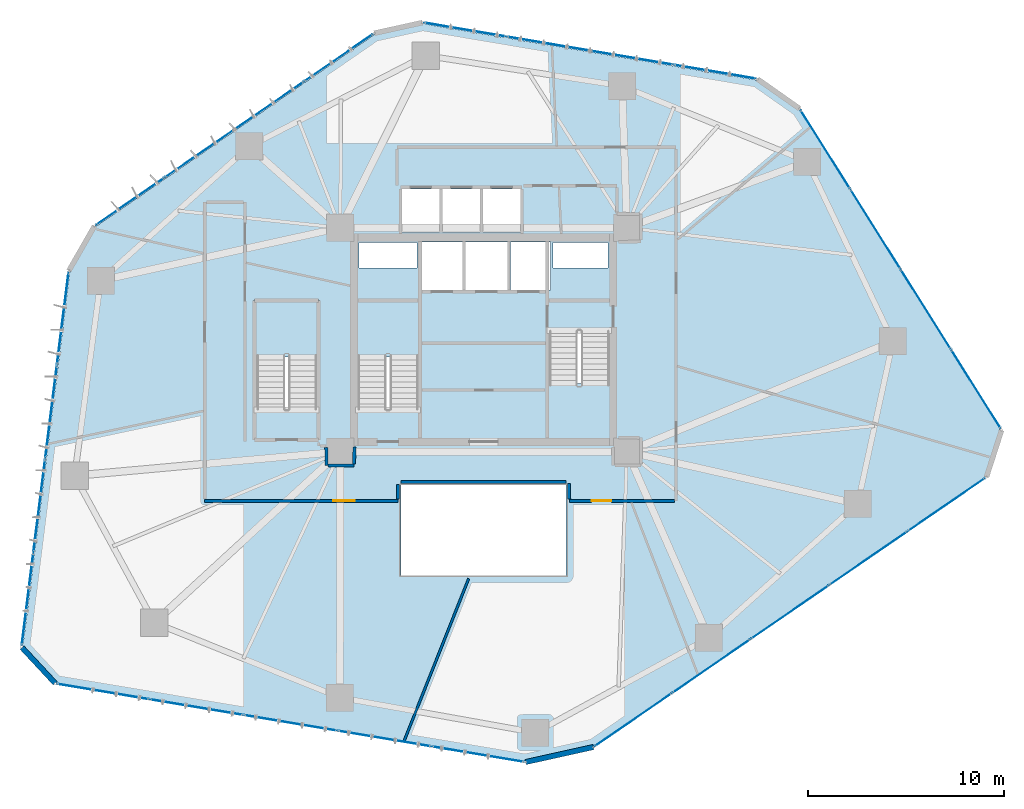
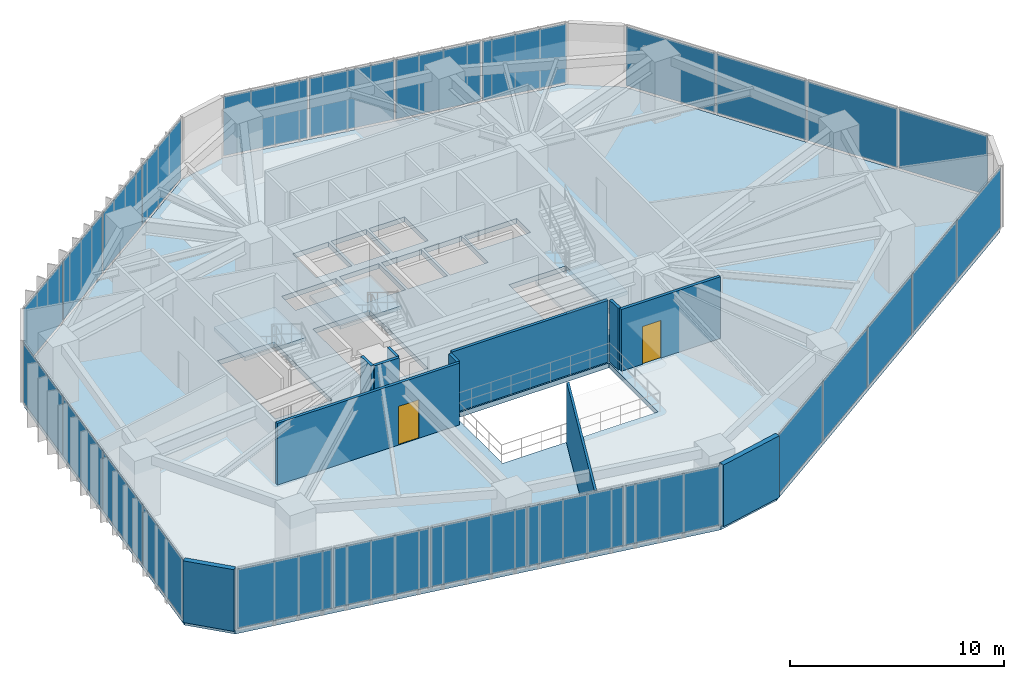
# One storey, part 16 of 21: 26 plates, 11 walls, 4 slabs, 2 doors, 2 openings, 9 elements without a shape of their own.
"""IFC4 building model written with IfcOpenShell, lengths in metres."""

from ifc_helpers import new_model, si_unit, direction, frame, frame_2d, origin, origin_2d, place, context, subcontext, project, spatial, polyline, rectangle, outline, extrude, source, transform, mapped, material, layer, layer_set, type_object, type_shapes, element, fill, aggregate, save


model = new_model("IFC4")

# Units and contexts
model_context = context("Model", 3, precision=1e-05, world=origin(), true_north=direction((0.0, 1.0)))
body_context = subcontext(model_context, "Body", "Model", "MODEL_VIEW")
ifc_project = project(units=[si_unit("LENGTHUNIT", "METRE"), si_unit("AREAUNIT", "SQUARE_METRE"), si_unit("VOLUMEUNIT", "CUBIC_METRE"), si_unit("PLANEANGLEUNIT", "RADIAN"), si_unit("MASSUNIT", "GRAM", prefix="KILO")], contexts=[model_context])

# Site, building, storey
site_placement = place(None, origin())
site = spatial("IfcSite", under=ifc_project, at=site_placement, CompositionType="ELEMENT")
building_placement = place(site_placement, origin())
building = spatial("IfcBuilding", under=site, at=building_placement, Name="Talar Marvaseh", CompositionType="ELEMENT")
storey_placement = place(building_placement, frame((0.0, 0.0, 62.0)))
storey = spatial("IfcBuildingStorey", under=building, at=storey_placement, Name="L15", CompositionType="ELEMENT", Elevation=62.0)

# Stair, slab
ifc_material_1 = material(Name="Concrete C40/50", Category="concrete")
stair_type = type_object("IfcStairType", Name="Reinforced Concrete Half-Turn Exit Stair Type B", PredefinedType="HALF_TURN_STAIR", material=ifc_material_1)
stair_1_placement = place(storey_placement, origin())
stair_1 = element("IfcStair", 1, at=stair_1_placement, inside=storey, type_object=stair_type, Name="L15 Tower West Core Exit Stair", PredefinedType="HALF_TURN_STAIR")
ifc_layer_1 = layer(ifc_material_1, 0.199951171875)
ifc_layer_set_1 = layer_set([ifc_layer_1], Name="Concrete C40/50")
slab_type_1 = type_object("IfcSlabType", Name="Reinforced Concrete Stair Half-Landing Slab 200", PredefinedType="LANDING", material=ifc_layer_set_1)
slab_1_placement = place(storey_placement, frame((0.0, 0.0, 1.699951171875)))
slab_1 = element("IfcSlab", 2, at=slab_1_placement, type_object=slab_type_1, Name="ST-1 landing 1", PredefinedType="LANDING", context=body_context, shape_type="SweptSolid", body=[
    extrude(outline(polyline([(22.780029296875, 30.330078125), (22.780029296875, 33.219970703125), (19.47998046875, 33.219970703125), (19.47998046875, 30.330078125), (22.780029296875, 30.330078125)])), origin(), (0.0, 0.0, 1.0), 0.199951171875),
])
aggregate(stair_1, [slab_1])

stair_2_placement = place(storey_placement, origin())
stair_2 = element("IfcStair", 3, at=stair_2_placement, inside=storey, type_object=stair_type, Name="L15 Tower East Core Exit Stair", PredefinedType="HALF_TURN_STAIR")
slab_2_placement = place(storey_placement, frame((0.0, 0.0, 1.699951171875)))
slab_2 = element("IfcSlab", 4, at=slab_2_placement, type_object=slab_type_1, Name="ST-2 landing 1", PredefinedType="LANDING", context=body_context, shape_type="SweptSolid", body=[
    extrude(outline(polyline([(29.219970703125, 28.969970703125), (29.219970703125, 26.080078125), (32.52001953125, 26.080078125), (32.52001953125, 28.969970703125), (29.219970703125, 28.969970703125)])), origin(), (0.0, 0.0, 1.0), 0.199951171875),
])
aggregate(stair_2, [slab_2])

stair_3_placement = place(storey_placement, origin())
stair_3 = element("IfcStair", 5, at=stair_3_placement, inside=storey, type_object=stair_type, Name="L15 Museum & Podium Auxiliary Exit Stair", PredefinedType="HALF_TURN_STAIR")
slab_3_placement = place(storey_placement, frame((0.0, 0.0, 1.699951171875)))
slab_3 = element("IfcSlab", 6, at=slab_3_placement, type_object=slab_type_1, Name="ST-3 landing 1", PredefinedType="LANDING", context=body_context, shape_type="SweptSolid", body=[
    extrude(outline(polyline([(17.6201171875, 30.330078125), (17.6201171875, 33.219970703125), (14.320068359375, 33.219970703125), (14.320068359375, 30.330078125), (17.6201171875, 30.330078125)])), origin(), (0.0, 0.0, 1.0), 0.199951171875),
])
aggregate(stair_3, [slab_3])

# Slab
ifc_layer_2 = layer(ifc_material_1, 0.280029296875)
ifc_layer_set_2 = layer_set([ifc_layer_2], Name="Concrete C40/50")
slab_type_2 = type_object("IfcSlabType", Name="Structural Suspended Floor Slab 280", PredefinedType="FLOOR", material=ifc_layer_set_2)
slab_4_placement = place(storey_placement, frame((0.0, 0.0, -0.280029296875)))
element("IfcSlab", 7, at=slab_4_placement, inside=storey, type_object=slab_type_2, Name="L15 Tower Floor Slab", PredefinedType="FLOOR", context=body_context, shape_type="SweptSolid", body=[
    extrude(outline(polyline([(4.228515625, 13.747802734375), (2.53662109375, 15.566650390625), (4.93603515625, 34.68310546875), (6.24267578125, 36.9580078125), (20.4453125, 46.743896484375), (22.901611328125, 47.288330078125), (39.9091796875, 44.421630859375), (42.0546875, 42.912109375), (52.30810546875, 26.600830078125), (51.543701171875, 24.2373046875), (31.57568359375, 10.518310546875), (28.12353515625, 9.7529296875), (4.228515625, 13.747802734375)]), holes=[polyline([(22.659912109375, 27.64990234375), (22.659912109375, 33.10009765625), (19.60009765625, 33.10009765625), (19.60009765625, 27.64990234375), (22.659912109375, 27.64990234375)]), polyline([(29.340087890625, 31.64990234375), (29.340087890625, 26.199951171875), (32.39990234375, 26.199951171875), (32.39990234375, 31.64990234375), (29.340087890625, 31.64990234375)]), polyline([(17.5, 27.64990234375), (17.5, 33.10009765625), (14.43994140625, 33.10009765625), (14.43994140625, 27.64990234375), (17.5, 27.64990234375)]), polyline([(22.800048828125, 33.719970703125), (24.93994140625, 33.719970703125), (24.93994140625, 36.179931640625), (22.800048828125, 36.179931640625), (22.800048828125, 33.719970703125)]), polyline([(25.080078125, 33.719970703125), (27.219970703125, 33.719970703125), (27.219970703125, 36.179931640625), (25.080078125, 36.179931640625), (25.080078125, 33.719970703125)]), polyline([(27.360107421875, 33.719970703125), (29.39990234375, 33.719970703125), (29.39990234375, 36.179931640625), (27.360107421875, 36.179931640625), (27.360107421875, 33.719970703125)]), polyline([(21.840087890625, 36.659912109375), (23.760009765625, 36.659912109375), (23.760009765625, 38.8798828125), (21.840087890625, 38.8798828125), (21.840087890625, 36.659912109375)]), polyline([(23.89990234375, 36.659912109375), (25.820068359375, 36.659912109375), (25.820068359375, 38.8798828125), (23.89990234375, 38.8798828125), (23.89990234375, 36.659912109375)]), polyline([(25.9599609375, 36.659912109375), (27.8798828125, 36.659912109375), (27.8798828125, 38.8798828125), (25.9599609375, 38.8798828125), (25.9599609375, 36.659912109375)]), polyline([(19.659912109375, 34.840087890625), (22.60009765625, 34.840087890625), (22.60009765625, 36.139892578125), (19.659912109375, 36.139892578125), (19.659912109375, 34.840087890625)]), polyline([(29.52001953125, 34.840087890625), (32.340087890625, 34.840087890625), (32.340087890625, 36.139892578125), (29.52001953125, 36.139892578125), (29.52001953125, 34.840087890625)]), polyline([(21.800048828125, 19.199951171875), (30.199951171875, 19.199951171875), (30.199951171875, 23.800048828125), (21.800048828125, 23.800048828125), (21.800048828125, 19.199951171875)])]), origin(), (0.0, 0.0, 1.0), 0.280029296875),
])

# Curtain wall, plates
ifc_material_2 = material(Name="Architectural Aluminium", Category="aluminium")
ifc_layer_3 = layer(ifc_material_2, 0.219970703125)
ifc_layer_set_3 = layer_set([ifc_layer_3], Name="Architectural Aluminium")
curtain_wall_type = type_object("IfcCurtainWallType", Name="Unitised Low-E Museum Curtain Wall Z1", PredefinedType="NOTDEFINED", material=ifc_layer_set_3)
curtain_wall_1_placement = place(storey_placement, origin())
curtain_wall_1 = element("IfcCurtainWall", 8, at=curtain_wall_1_placement, inside=storey, type_object=curtain_wall_type, Name="L15 Unitised Low-E Museum Curtain Wall Z1", PredefinedType="NOTDEFINED")
ifc_material_3 = material(Name="Laminated Low-E Solar Glass", Category="glass")
ifc_layer_4 = layer(ifc_material_3, 0.028076171875)
ifc_layer_set_4 = layer_set([ifc_layer_4], Name="Laminated Low-E Solar Glass")
plate_type = type_object("IfcPlateType", Name="Double-Glazed Low-E Vision Curtain Panel 28", PredefinedType="CURTAIN_PANEL", material=ifc_layer_set_4)
shared_shape_1 = source(origin(), body_context, "Body", "SweptSolid", [
    extrude(rectangle(XDim=4.696533203125, YDim=0.028076171875, at=origin_2d()), origin(), (0.0, 0.0, 1.0), 3.3701171875),
])
plate_1_placement = place(storey_placement, frame((2.779541015625, 17.983642578125, 0.074951171875), z_axis=(0.0, 0.0, 1.0), x_axis=(0.124532354927, 0.992215547437, 0.0)))
plate_1 = element("IfcPlate", 9, at=plate_1_placement, type_object=plate_type, Name="CW-Z1 panel 1.1", PredefinedType="CURTAIN_PANEL", context=body_context, shape_type="MappedRepresentation", body=[
    mapped(shared_shape_1, transform((0.0, 0.0, 0.0), x_axis=(1.0, 0.0, 0.0), y_axis=(0.0, 1.0, 0.0), z_axis=(0.0, 0.0, 1.0), scale=1.0)),
])
plate_2_placement = place(storey_placement, frame((4.57421875, 32.28125, 0.074951171875), z_axis=(0.0, 0.0, 1.0), x_axis=(0.124532354927, 0.992215547437, 0.0)))
plate_2 = element("IfcPlate", 10, at=plate_2_placement, type_object=plate_type, Name="CW-Z1 panel 4.1", PredefinedType="CURTAIN_PANEL", context=body_context, shape_type="MappedRepresentation", body=[
    mapped(shared_shape_1, transform((0.0, 0.0, 0.0), x_axis=(1.0, 0.0, 0.0), y_axis=(0.0, 1.0, 0.0), z_axis=(0.0, 0.0, 1.0), scale=1.0)),
])

curtain_wall_2_placement = place(storey_placement, origin())
curtain_wall_2 = element("IfcCurtainWall", 11, at=curtain_wall_2_placement, inside=storey, type_object=curtain_wall_type, Name="L15 Unitised Low-E Museum Curtain Wall Z1", PredefinedType="NOTDEFINED")
plate_3_placement = place(storey_placement, frame((43.39794921875, 40.88818359375, 0.074951171875), z_axis=(0.0, 0.0, 1.0), x_axis=(0.532194611651, -0.846622049872, 0.0)))
plate_3 = element("IfcPlate", 12, at=plate_3_placement, type_object=plate_type, Name="CW-Z1 panel 1.1", PredefinedType="CURTAIN_PANEL", context=body_context, shape_type="MappedRepresentation", body=[
    mapped(shared_shape_1, transform((0.0, 0.0, 0.0), x_axis=(1.0, 0.0, 0.0), y_axis=(0.0, 1.0, 0.0), z_axis=(0.0, 0.0, 1.0), scale=1.0)),
])
plate_4_placement = place(storey_placement, frame((51.066650390625, 28.6884765625, 0.074951171875), z_axis=(0.0, 0.0, 1.0), x_axis=(0.532194611651, -0.846622049872, 0.0)))
plate_4 = element("IfcPlate", 13, at=plate_4_placement, type_object=plate_type, Name="CW-Z1 panel 4.1", PredefinedType="CURTAIN_PANEL", context=body_context, shape_type="MappedRepresentation", body=[
    mapped(shared_shape_1, transform((0.0, 0.0, 0.0), x_axis=(1.0, 0.0, 0.0), y_axis=(0.0, 1.0, 0.0), z_axis=(0.0, 0.0, 1.0), scale=1.0)),
])

# Plate
shared_shape_2 = source(origin(), body_context, "Body", "SweptSolid", [
    extrude(rectangle(XDim=4.736572265625, YDim=0.028076171875, at=origin_2d()), origin(), (0.0, 0.0, 1.0), 3.3701171875),
])
plate_5_placement = place(storey_placement, frame((3.376953125, 22.742919921875, 0.074951171875), z_axis=(0.0, 0.0, 1.0), x_axis=(0.124532354927, 0.992215547437, 0.0)))
plate_5 = element("IfcPlate", 14, at=plate_5_placement, type_object=plate_type, Name="CW-Z1 panel 2.1", PredefinedType="CURTAIN_PANEL", context=body_context, shape_type="MappedRepresentation", body=[
    mapped(shared_shape_2, transform((0.0, 0.0, 0.0), x_axis=(1.0, 0.0, 0.0), y_axis=(0.0, 1.0, 0.0), z_axis=(0.0, 0.0, 1.0), scale=1.0)),
])

plate_6_placement = place(storey_placement, frame((3.976806640625, 27.52197265625, 0.074951171875), z_axis=(0.0, 0.0, 1.0), x_axis=(0.124532354927, 0.992215547437, 0.0)))
plate_6 = element("IfcPlate", 15, at=plate_6_placement, type_object=plate_type, Name="CW-Z1 panel 3.1", PredefinedType="CURTAIN_PANEL", context=body_context, shape_type="MappedRepresentation", body=[
    mapped(shared_shape_2, transform((0.0, 0.0, 0.0), x_axis=(1.0, 0.0, 0.0), y_axis=(0.0, 1.0, 0.0), z_axis=(0.0, 0.0, 1.0), scale=1.0)),
])

aggregate(curtain_wall_1, [plate_1, plate_5, plate_6, plate_2])

plate_7_placement = place(storey_placement, frame((45.95068359375, 36.827392578125, 0.074951171875), z_axis=(0.0, 0.0, 1.0), x_axis=(0.532194611651, -0.846622049872, 0.0)))
plate_7 = element("IfcPlate", 16, at=plate_7_placement, type_object=plate_type, Name="CW-Z1 panel 2.1", PredefinedType="CURTAIN_PANEL", context=body_context, shape_type="MappedRepresentation", body=[
    mapped(shared_shape_2, transform((0.0, 0.0, 0.0), x_axis=(1.0, 0.0, 0.0), y_axis=(0.0, 1.0, 0.0), z_axis=(0.0, 0.0, 1.0), scale=1.0)),
])

plate_8_placement = place(storey_placement, frame((48.513916015625, 32.74951171875, 0.074951171875), z_axis=(0.0, 0.0, 1.0), x_axis=(0.532194611651, -0.846622049872, 0.0)))
plate_8 = element("IfcPlate", 17, at=plate_8_placement, type_object=plate_type, Name="CW-Z1 panel 3.1", PredefinedType="CURTAIN_PANEL", context=body_context, shape_type="MappedRepresentation", body=[
    mapped(shared_shape_2, transform((0.0, 0.0, 0.0), x_axis=(1.0, 0.0, 0.0), y_axis=(0.0, 1.0, 0.0), z_axis=(0.0, 0.0, 1.0), scale=1.0)),
])

aggregate(curtain_wall_2, [plate_3, plate_7, plate_8, plate_4])

# Curtain wall, plates
curtain_wall_3_placement = place(storey_placement, origin())
curtain_wall_3 = element("IfcCurtainWall", 18, at=curtain_wall_3_placement, inside=storey, type_object=curtain_wall_type, Name="L15 Unitised Low-E Museum Curtain Wall Z1", PredefinedType="NOTDEFINED")
shared_shape_3 = source(origin(), body_context, "Body", "SweptSolid", [
    extrude(rectangle(XDim=4.19189453125, YDim=0.028076171875, at=origin_2d()), origin(), (0.0, 0.0, 1.0), 3.3701171875),
])
plate_9_placement = place(storey_placement, frame((8.00048828125, 38.241943359375, 0.074951171875), z_axis=(0.0, 0.0, 1.0), x_axis=(0.823453785102, 0.567383348188, 0.0)))
plate_9 = element("IfcPlate", 19, at=plate_9_placement, type_object=plate_type, Name="CW-Z1 panel 1.1", PredefinedType="CURTAIN_PANEL", context=body_context, shape_type="MappedRepresentation", body=[
    mapped(shared_shape_3, transform((0.0, 0.0, 0.0), x_axis=(1.0, 0.0, 0.0), y_axis=(0.0, 1.0, 0.0), z_axis=(0.0, 0.0, 1.0), scale=1.0)),
])
plate_10_placement = place(storey_placement, frame((18.619384765625, 45.55859375, 0.074951171875), z_axis=(0.0, 0.0, 1.0), x_axis=(0.823453785102, 0.567383348188, 0.0)))
plate_10 = element("IfcPlate", 20, at=plate_10_placement, type_object=plate_type, Name="CW-Z1 panel 4.1", PredefinedType="CURTAIN_PANEL", context=body_context, shape_type="MappedRepresentation", body=[
    mapped(shared_shape_3, transform((0.0, 0.0, 0.0), x_axis=(1.0, 0.0, 0.0), y_axis=(0.0, 1.0, 0.0), z_axis=(0.0, 0.0, 1.0), scale=1.0)),
])

curtain_wall_4_placement = place(storey_placement, origin())
curtain_wall_4 = element("IfcCurtainWall", 21, at=curtain_wall_4_placement, inside=storey, type_object=curtain_wall_type, Name="L15 Unitised Low-E Museum Curtain Wall Z1", PredefinedType="NOTDEFINED")
plate_11_placement = place(storey_placement, frame((25.057373046875, 46.98583984375, 0.074951171875), z_axis=(0.0, 0.0, 1.0), x_axis=(0.98608950508, -0.166215185742, 0.0)))
plate_11 = element("IfcPlate", 22, at=plate_11_placement, type_object=plate_type, Name="CW-Z1 panel 1.1", PredefinedType="CURTAIN_PANEL", context=body_context, shape_type="MappedRepresentation", body=[
    mapped(shared_shape_3, transform((0.0, 0.0, 0.0), x_axis=(1.0, 0.0, 0.0), y_axis=(0.0, 1.0, 0.0), z_axis=(0.0, 0.0, 1.0), scale=1.0)),
])
plate_12_placement = place(storey_placement, frame((37.7734375, 44.842529296875, 0.074951171875), z_axis=(0.0, 0.0, 1.0), x_axis=(0.98608950508, -0.166215185742, 0.0)))
plate_12 = element("IfcPlate", 23, at=plate_12_placement, type_object=plate_type, Name="CW-Z1 panel 4.1", PredefinedType="CURTAIN_PANEL", context=body_context, shape_type="MappedRepresentation", body=[
    mapped(shared_shape_3, transform((0.0, 0.0, 0.0), x_axis=(1.0, 0.0, 0.0), y_axis=(0.0, 1.0, 0.0), z_axis=(0.0, 0.0, 1.0), scale=1.0)),
])

# Plate
shared_shape_4 = source(origin(), body_context, "Body", "SweptSolid", [
    extrude(rectangle(XDim=4.23193359375, YDim=0.028076171875, at=origin_2d()), origin(), (0.0, 0.0, 1.0), 3.3701171875),
])
plate_13_placement = place(storey_placement, frame((11.53466796875, 40.677001953125, 0.074951171875), z_axis=(0.0, 0.0, 1.0), x_axis=(0.823453785102, 0.567383348188, 0.0)))
plate_13 = element("IfcPlate", 24, at=plate_13_placement, type_object=plate_type, Name="CW-Z1 panel 2.1", PredefinedType="CURTAIN_PANEL", context=body_context, shape_type="MappedRepresentation", body=[
    mapped(shared_shape_4, transform((0.0, 0.0, 0.0), x_axis=(1.0, 0.0, 0.0), y_axis=(0.0, 1.0, 0.0), z_axis=(0.0, 0.0, 1.0), scale=1.0)),
])

plate_14_placement = place(storey_placement, frame((15.085205078125, 43.12353515625, 0.074951171875), z_axis=(0.0, 0.0, 1.0), x_axis=(0.823453785102, 0.567383348188, 0.0)))
plate_14 = element("IfcPlate", 25, at=plate_14_placement, type_object=plate_type, Name="CW-Z1 panel 3.1", PredefinedType="CURTAIN_PANEL", context=body_context, shape_type="MappedRepresentation", body=[
    mapped(shared_shape_4, transform((0.0, 0.0, 0.0), x_axis=(1.0, 0.0, 0.0), y_axis=(0.0, 1.0, 0.0), z_axis=(0.0, 0.0, 1.0), scale=1.0)),
])

aggregate(curtain_wall_3, [plate_9, plate_13, plate_14, plate_10])

plate_15_placement = place(storey_placement, frame((29.28955078125, 46.2724609375, 0.074951171875), z_axis=(0.0, 0.0, 1.0), x_axis=(0.98608950508, -0.166215185742, 0.0)))
plate_15 = element("IfcPlate", 26, at=plate_15_placement, type_object=plate_type, Name="CW-Z1 panel 2.1", PredefinedType="CURTAIN_PANEL", context=body_context, shape_type="MappedRepresentation", body=[
    mapped(shared_shape_4, transform((0.0, 0.0, 0.0), x_axis=(1.0, 0.0, 0.0), y_axis=(0.0, 1.0, 0.0), z_axis=(0.0, 0.0, 1.0), scale=1.0)),
])

plate_16_placement = place(storey_placement, frame((33.541259765625, 45.555908203125, 0.074951171875), z_axis=(0.0, 0.0, 1.0), x_axis=(0.98608950508, -0.166215185742, 0.0)))
plate_16 = element("IfcPlate", 27, at=plate_16_placement, type_object=plate_type, Name="CW-Z1 panel 3.1", PredefinedType="CURTAIN_PANEL", context=body_context, shape_type="MappedRepresentation", body=[
    mapped(shared_shape_4, transform((0.0, 0.0, 0.0), x_axis=(1.0, 0.0, 0.0), y_axis=(0.0, 1.0, 0.0), z_axis=(0.0, 0.0, 1.0), scale=1.0)),
])

aggregate(curtain_wall_4, [plate_11, plate_15, plate_16, plate_12])

# Curtain wall, plates
curtain_wall_5_placement = place(storey_placement, origin())
curtain_wall_5 = element("IfcCurtainWall", 28, at=curtain_wall_5_placement, inside=storey, type_object=curtain_wall_type, Name="L15 Unitised Low-E Museum Curtain Wall Z1", PredefinedType="NOTDEFINED")
shared_shape_5 = source(origin(), body_context, "Body", "SweptSolid", [
    extrude(rectangle(XDim=4.725341796875, YDim=0.028076171875, at=origin_2d()), origin(), (0.0, 0.0, 1.0), 3.3701171875),
])
plate_17_placement = place(storey_placement, frame((49.564453125, 22.8046875, 0.074951171875), z_axis=(0.0, 0.0, 1.0), x_axis=(-0.824215313877, -0.566276537013, 0.0)))
plate_17 = element("IfcPlate", 29, at=plate_17_placement, type_object=plate_type, Name="CW-Z1 panel 1.1", PredefinedType="CURTAIN_PANEL", context=body_context, shape_type="MappedRepresentation", body=[
    mapped(shared_shape_5, transform((0.0, 0.0, 0.0), x_axis=(1.0, 0.0, 0.0), y_axis=(0.0, 1.0, 0.0), z_axis=(0.0, 0.0, 1.0), scale=1.0)),
])
plate_18_placement = place(storey_placement, frame((33.623046875, 11.85205078125, 0.074951171875), z_axis=(0.0, 0.0, 1.0), x_axis=(-0.824215313877, -0.566276537013, 0.0)))
plate_18 = element("IfcPlate", 30, at=plate_18_placement, type_object=plate_type, Name="CW-Z1 panel 5.1", PredefinedType="CURTAIN_PANEL", context=body_context, shape_type="MappedRepresentation", body=[
    mapped(shared_shape_5, transform((0.0, 0.0, 0.0), x_axis=(1.0, 0.0, 0.0), y_axis=(0.0, 1.0, 0.0), z_axis=(0.0, 0.0, 1.0), scale=1.0)),
])

curtain_wall_6_placement = place(storey_placement, origin())
curtain_wall_6 = element("IfcCurtainWall", 31, at=curtain_wall_6_placement, inside=storey, type_object=curtain_wall_type, Name="L15 Unitised Low-E Museum Curtain Wall Z1", PredefinedType="NOTDEFINED")
plate_19_placement = place(storey_placement, frame((25.704345703125, 10.096435546875, 0.074951171875), z_axis=(0.0, 0.0, 1.0), x_axis=(-0.986310910381, 0.164896294876, 0.0)))
plate_19 = element("IfcPlate", 32, at=plate_19_placement, type_object=plate_type, Name="CW-Z1 panel 1.1", PredefinedType="CURTAIN_PANEL", context=body_context, shape_type="MappedRepresentation", body=[
    mapped(shared_shape_5, transform((0.0, 0.0, 0.0), x_axis=(1.0, 0.0, 0.0), y_axis=(0.0, 1.0, 0.0), z_axis=(0.0, 0.0, 1.0), scale=1.0)),
])
plate_20_placement = place(storey_placement, frame((6.627685546875, 13.285888671875, 0.074951171875), z_axis=(0.0, 0.0, 1.0), x_axis=(-0.986310910381, 0.164896294876, 0.0)))
plate_20 = element("IfcPlate", 33, at=plate_20_placement, type_object=plate_type, Name="CW-Z1 panel 5.1", PredefinedType="CURTAIN_PANEL", context=body_context, shape_type="MappedRepresentation", body=[
    mapped(shared_shape_5, transform((0.0, 0.0, 0.0), x_axis=(1.0, 0.0, 0.0), y_axis=(0.0, 1.0, 0.0), z_axis=(0.0, 0.0, 1.0), scale=1.0)),
])

# Plate
shared_shape_6 = source(origin(), body_context, "Body", "SweptSolid", [
    extrude(rectangle(XDim=4.765380859375, YDim=0.028076171875, at=origin_2d()), origin(), (0.0, 0.0, 1.0), 3.3701171875),
])
type_shapes(plate_type, [shared_shape_1, shared_shape_2, shared_shape_3, shared_shape_4, shared_shape_5, shared_shape_6])
plate_21_placement = place(storey_placement, frame((45.58740234375, 20.072021484375, 0.074951171875), z_axis=(0.0, 0.0, 1.0), x_axis=(-0.824215313877, -0.566276537013, 0.0)))
plate_21 = element("IfcPlate", 34, at=plate_21_placement, type_object=plate_type, Name="CW-Z1 panel 2.1", PredefinedType="CURTAIN_PANEL", context=body_context, shape_type="MappedRepresentation", body=[
    mapped(shared_shape_6, transform((0.0, 0.0, 0.0), x_axis=(1.0, 0.0, 0.0), y_axis=(0.0, 1.0, 0.0), z_axis=(0.0, 0.0, 1.0), scale=1.0)),
])

plate_22_placement = place(storey_placement, frame((41.59375, 17.328369140625, 0.074951171875), z_axis=(0.0, 0.0, 1.0), x_axis=(-0.824215313877, -0.566276537013, 0.0)))
plate_22 = element("IfcPlate", 35, at=plate_22_placement, type_object=plate_type, Name="CW-Z1 panel 3.1", PredefinedType="CURTAIN_PANEL", context=body_context, shape_type="MappedRepresentation", body=[
    mapped(shared_shape_6, transform((0.0, 0.0, 0.0), x_axis=(1.0, 0.0, 0.0), y_axis=(0.0, 1.0, 0.0), z_axis=(0.0, 0.0, 1.0), scale=1.0)),
])

plate_23_placement = place(storey_placement, frame((37.60009765625, 14.58447265625, 0.074951171875), z_axis=(0.0, 0.0, 1.0), x_axis=(-0.824215313877, -0.566276537013, 0.0)))
plate_23 = element("IfcPlate", 36, at=plate_23_placement, type_object=plate_type, Name="CW-Z1 panel 4.1", PredefinedType="CURTAIN_PANEL", context=body_context, shape_type="MappedRepresentation", body=[
    mapped(shared_shape_6, transform((0.0, 0.0, 0.0), x_axis=(1.0, 0.0, 0.0), y_axis=(0.0, 1.0, 0.0), z_axis=(0.0, 0.0, 1.0), scale=1.0)),
])

aggregate(curtain_wall_5, [plate_17, plate_21, plate_22, plate_23, plate_18])

plate_24_placement = place(storey_placement, frame((20.945068359375, 10.89208984375, 0.074951171875), z_axis=(0.0, 0.0, 1.0), x_axis=(-0.986310910381, 0.164896294876, 0.0)))
plate_24 = element("IfcPlate", 37, at=plate_24_placement, type_object=plate_type, Name="CW-Z1 panel 2.1", PredefinedType="CURTAIN_PANEL", context=body_context, shape_type="MappedRepresentation", body=[
    mapped(shared_shape_6, transform((0.0, 0.0, 0.0), x_axis=(1.0, 0.0, 0.0), y_axis=(0.0, 1.0, 0.0), z_axis=(0.0, 0.0, 1.0), scale=1.0)),
])

plate_25_placement = place(storey_placement, frame((16.166015625, 11.691162109375, 0.074951171875), z_axis=(0.0, 0.0, 1.0), x_axis=(-0.986310910381, 0.164896294876, 0.0)))
plate_25 = element("IfcPlate", 38, at=plate_25_placement, type_object=plate_type, Name="CW-Z1 panel 3.1", PredefinedType="CURTAIN_PANEL", context=body_context, shape_type="MappedRepresentation", body=[
    mapped(shared_shape_6, transform((0.0, 0.0, 0.0), x_axis=(1.0, 0.0, 0.0), y_axis=(0.0, 1.0, 0.0), z_axis=(0.0, 0.0, 1.0), scale=1.0)),
])

plate_26_placement = place(storey_placement, frame((11.386962890625, 12.490234375, 0.074951171875), z_axis=(0.0, 0.0, 1.0), x_axis=(-0.986310910381, 0.164896294876, 0.0)))
plate_26 = element("IfcPlate", 39, at=plate_26_placement, type_object=plate_type, Name="CW-Z1 panel 4.1", PredefinedType="CURTAIN_PANEL", context=body_context, shape_type="MappedRepresentation", body=[
    mapped(shared_shape_6, transform((0.0, 0.0, 0.0), x_axis=(1.0, 0.0, 0.0), y_axis=(0.0, 1.0, 0.0), z_axis=(0.0, 0.0, 1.0), scale=1.0)),
])

aggregate(curtain_wall_6, [plate_19, plate_24, plate_25, plate_26, plate_20])

# Walls
ifc_material_4 = material(Name="Precast concrete C45/55", Category="concrete")
ifc_layer_5 = layer(ifc_material_4, 0.27001953125)
ifc_layer_set_5 = layer_set([ifc_layer_5], Name="Precast concrete C45/55")
wall_type_1 = type_object("IfcWallType", Name="Chamfered Hexagonal Corner Pier Wall Z1 270", PredefinedType="SOLIDWALL", material=ifc_layer_set_5)
wall_1_placement = place(storey_placement, frame((4.1845703125, 13.706787109375, 0.0), z_axis=(0.0, 0.0, 1.0), x_axis=(-0.680989980544, 0.732292732723, 0.0)))
element("IfcWall", 40, at=wall_1_placement, inside=storey, type_object=wall_type_1, Name="L15 Chamfered Corner Limestone Pier 1", PredefinedType="SOLIDWALL", context=body_context, shape_type="SweptSolid", body=[
    extrude(rectangle(XDim=2.484130859375, YDim=0.27001953125, at=frame_2d((1.2421875, 0.0))), origin(), (0.0, 0.0, 1.0), 3.52001953125),
])
wall_2_placement = place(storey_placement, frame((31.588623046875, 10.459716796875, 0.0), z_axis=(0.0, 0.0, 1.0), x_axis=(-0.976292542356, -0.216455241887, 0.0)))
element("IfcWall", 41, at=wall_2_placement, inside=storey, type_object=wall_type_1, Name="L15 Chamfered Corner Limestone Pier 6", PredefinedType="SOLIDWALL", context=body_context, shape_type="SweptSolid", body=[
    extrude(rectangle(XDim=3.535888671875, YDim=0.27001953125, at=frame_2d((1.76806640625, 0.0))), origin(), (0.0, 0.0, 1.0), 3.52001953125),
])

# Wall, opening, door
ifc_material_5 = material(Name="Gypsum Board Partition Assembly")
ifc_layer_6 = layer(ifc_material_5, 0.155029296875)
ifc_layer_set_6 = layer_set([ifc_layer_6], Name="Gypsum Board Partition Assembly")
wall_type_2 = type_object("IfcWallType", Name="Corridor Fire-Rated Acoustic Partition 155", PredefinedType="PARTITIONING", material=ifc_layer_set_6)
wall_3_placement = place(storey_placement, frame((21.639892578125, 23.0, 0.0), z_axis=(0.0, 0.0, 1.0), x_axis=(-1.0, 0.0, 0.0)))
wall_3 = element("IfcWall", 42, at=wall_3_placement, inside=storey, type_object=wall_type_2, Name="L15 Interior Partition Wall", PredefinedType="PARTITIONING", context=body_context, shape_type="SweptSolid", body=[
    extrude(rectangle(XDim=9.83984375, YDim=0.155029296875, at=frame_2d((4.919921875, 0.0))), origin(), (0.0, 0.0, 1.0), 3.52001953125),
])
opening_1_placement = place(wall_3_placement, frame((2.205078125, 0.0, 0.0)))
opening_1 = element("IfcOpeningElement", 43, at=opening_1_placement, cuts=wall_3, Name="Opening DR-RM110", PredefinedType="OPENING", context=body_context, shape_type="SweptSolid", body=[
    extrude(rectangle(XDim=1.10009765625, YDim=2.199951171875, at=frame_2d((0.550048828125, 1.10009765625))), frame((0.0, 0.08740234375, 0.0), z_axis=(0.0, -1.0, 0.0), x_axis=(1.0, 0.0, 0.0)), (0.0, 0.0, 1.0), 0.175048828125),
])
ifc_material_6 = material(Name="Acoustic Engineered Oak Timber", Category="wood")
door_type_1 = type_object("IfcDoorType", Name="Assembly and Reading Hall Door 1100x2200", OperationType="NOTDEFINED", PredefinedType="DOOR", material=ifc_material_6)
shared_shape_7 = source(origin(), body_context, "Body", "SweptSolid", [
    extrude(rectangle(XDim=1.10009765625, YDim=2.199951171875, at=frame_2d((0.550048828125, 1.10009765625))), frame((0.0, 0.02490234375, 0.0), z_axis=(0.0, -1.0, 0.0), x_axis=(1.0, 0.0, 0.0)), (0.0, 0.0, 1.0), 0.050048828125),
])
type_shapes(door_type_1, [shared_shape_7])
door_1_placement = place(opening_1_placement, origin())
door_1 = element("IfcDoor", 44, at=door_1_placement, inside=storey, type_object=door_type_1, Name="L15 Exhibition Gallery Door", OperationType="SINGLE_SWING_RIGHT", OverallHeight=2.199951171875, OverallWidth=1.10009765625, PredefinedType="DOOR", context=body_context, shape_type="MappedRepresentation", body=[
    mapped(shared_shape_7, transform((0.0, 0.0, 0.0), x_axis=(1.0, 0.0, 0.0), y_axis=(0.0, 1.0, 0.0), z_axis=(0.0, 0.0, 1.0), scale=1.0)),
])
fill(opening_1, door_1)

wall_4_placement = place(storey_placement, frame((35.716552734375, 23.0, 0.0), z_axis=(0.0, 0.0, 1.0), x_axis=(-1.0, 0.0, 0.0)))
wall_4 = element("IfcWall", 45, at=wall_4_placement, inside=storey, type_object=wall_type_2, Name="L15 Interior Partition Wall", PredefinedType="PARTITIONING", context=body_context, shape_type="SweptSolid", body=[
    extrude(rectangle(XDim=5.3564453125, YDim=0.155029296875, at=frame_2d((2.67822265625, 0.0))), origin(), (0.0, 0.0, 1.0), 3.52001953125),
])
opening_2_placement = place(wall_4_placement, frame((3.21630859375, 0.0, 0.0)))
opening_2 = element("IfcOpeningElement", 46, at=opening_2_placement, cuts=wall_4, Name="Opening DR-RM100", PredefinedType="OPENING", context=body_context, shape_type="SweptSolid", body=[
    extrude(rectangle(XDim=1.0, YDim=2.14990234375, at=frame_2d((0.5, 1.074951171875))), frame((0.0, 0.08740234375, 0.0), z_axis=(0.0, -1.0, 0.0), x_axis=(1.0, 0.0, 0.0)), (0.0, 0.0, 1.0), 0.175048828125),
])
door_type_2 = type_object("IfcDoorType", Name="Corridor Fire-Rated Gallery Door 1000x2150", OperationType="NOTDEFINED", PredefinedType="DOOR", material=ifc_material_6)
shared_shape_8 = source(origin(), body_context, "Body", "SweptSolid", [
    extrude(rectangle(XDim=1.0, YDim=2.14990234375, at=frame_2d((0.5, 1.074951171875))), frame((0.0, 0.02490234375, 0.0), z_axis=(0.0, -1.0, 0.0), x_axis=(1.0, 0.0, 0.0)), (0.0, 0.0, 1.0), 0.050048828125),
])
type_shapes(door_type_2, [shared_shape_8])
door_2_placement = place(opening_2_placement, origin())
door_2 = element("IfcDoor", 47, at=door_2_placement, inside=storey, type_object=door_type_2, Name="L15 Museum Publication Bookshop Door", OperationType="SINGLE_SWING_LEFT", OverallHeight=2.14990234375, OverallWidth=1.0, PredefinedType="DOOR", context=body_context, shape_type="MappedRepresentation", body=[
    mapped(shared_shape_8, transform((0.0, 0.0, 0.0), x_axis=(1.0, 0.0, 0.0), y_axis=(0.0, 1.0, 0.0), z_axis=(0.0, 0.0, 1.0), scale=1.0)),
])
fill(opening_2, door_2)

# Walls
wall_5_placement = place(storey_placement, frame((30.199951171875, 23.9599609375, 0.0), z_axis=(0.0, 0.0, 1.0), x_axis=(-0.999999996213, -8.7029677e-05, 0.0)))
element("IfcWall", 48, at=wall_5_placement, inside=storey, type_object=wall_type_2, Name="L15 Interior Partition Wall", PredefinedType="PARTITIONING", context=body_context, shape_type="SweptSolid", body=[
    extrude(rectangle(XDim=8.415771484375, YDim=0.155029296875, at=frame_2d((4.2080078125, 0.0))), origin(), (0.0, 0.0, 1.0), 3.52001953125),
])
wall_6_placement = place(storey_placement, frame((21.64306640625, 23.831298828125, 0.0), z_axis=(0.0, 0.0, 1.0), x_axis=(-0.00359122725, -0.999993551523, 0.0)))
element("IfcWall", 49, at=wall_6_placement, inside=storey, type_object=wall_type_2, Name="L15 Interior Partition Wall", PredefinedType="PARTITIONING", context=body_context, shape_type="SweptSolid", body=[
    extrude(rectangle(XDim=0.747802734375, YDim=0.155029296875, at=frame_2d((0.3740234375, 0.0))), origin(), (0.0, 0.0, 1.0), 3.52001953125),
])
wall_7_placement = place(storey_placement, frame((17.986083984375, 25.716552734375, 0.0), z_axis=(0.0, 0.0, 1.0), x_axis=(0.013367088724, -0.999910656478, 0.0)))
element("IfcWall", 50, at=wall_7_placement, inside=storey, type_object=wall_type_2, Name="L15 Interior Partition Wall", PredefinedType="PARTITIONING", context=body_context, shape_type="SweptSolid", body=[
    extrude(rectangle(XDim=0.931396484375, YDim=0.155029296875, at=frame_2d((0.4658203125, 0.0))), origin(), (0.0, 0.0, 1.0), 3.52001953125),
])
wall_8_placement = place(storey_placement, frame((18.08203125, 24.78515625, 0.0), z_axis=(0.0, 0.0, 1.0), x_axis=(0.99999830547, 0.001840939443, 0.0)))
element("IfcWall", 51, at=wall_8_placement, inside=storey, type_object=wall_type_2, Name="L15 Interior Partition Wall", PredefinedType="PARTITIONING", context=body_context, shape_type="SweptSolid", body=[
    extrude(rectangle(XDim=1.326171875, YDim=0.155029296875, at=frame_2d((0.6630859375, 0.0))), origin(), (0.0, 0.0, 1.0), 3.52001953125),
])
wall_9_placement = place(storey_placement, frame((19.408935546875, 24.87109375, 0.0), z_axis=(0.0, 0.0, 1.0), x_axis=(0.007106130977, 0.999974751133, 0.0)))
element("IfcWall", 52, at=wall_9_placement, inside=storey, type_object=wall_type_2, Name="L15 Interior Partition Wall", PredefinedType="PARTITIONING", context=body_context, shape_type="SweptSolid", body=[
    extrude(rectangle(XDim=0.85888671875, YDim=0.155029296875, at=frame_2d((0.429443359375, 0.0))), origin(), (0.0, 0.0, 1.0), 3.52001953125),
])
wall_10_placement = place(storey_placement, frame((30.358154296875, 23.08349609375, 0.0), z_axis=(0.0, 0.0, 1.0), x_axis=(-0.021573276475, 0.999767269789, 0.0)))
element("IfcWall", 53, at=wall_10_placement, inside=storey, type_object=wall_type_2, Name="L15 Interior Partition Wall", PredefinedType="PARTITIONING", context=body_context, shape_type="SweptSolid", body=[
    extrude(rectangle(XDim=0.792236328125, YDim=0.155029296875, at=frame_2d((0.39599609375, 0.0))), origin(), (0.0, 0.0, 1.0), 3.52001953125),
])
ifc_layer_7 = layer(ifc_material_5, 0.1201171875)
ifc_layer_set_7 = layer_set([ifc_layer_7], Name="Gypsum Board Partition Assembly")
wall_type_3 = type_object("IfcWallType", Name="Demountable Studio Room Partition 120", PredefinedType="PARTITIONING", material=ifc_layer_set_7)
wall_11_placement = place(storey_placement, frame((25.239990234375, 19.0400390625, 0.0), z_axis=(0.0, 0.0, 1.0), x_axis=(-0.369620705349, -0.929182723783, 0.0)))
element("IfcWall", 54, at=wall_11_placement, inside=storey, type_object=wall_type_3, Name="L15 Interior Partition Wall", PredefinedType="PARTITIONING", context=body_context, shape_type="SweptSolid", body=[
    extrude(rectangle(XDim=8.921630859375, YDim=0.1201171875, at=frame_2d((4.4609375, 0.0))), origin(), (0.0, 0.0, 1.0), 3.52001953125),
])

save(model, "model.ifc")
